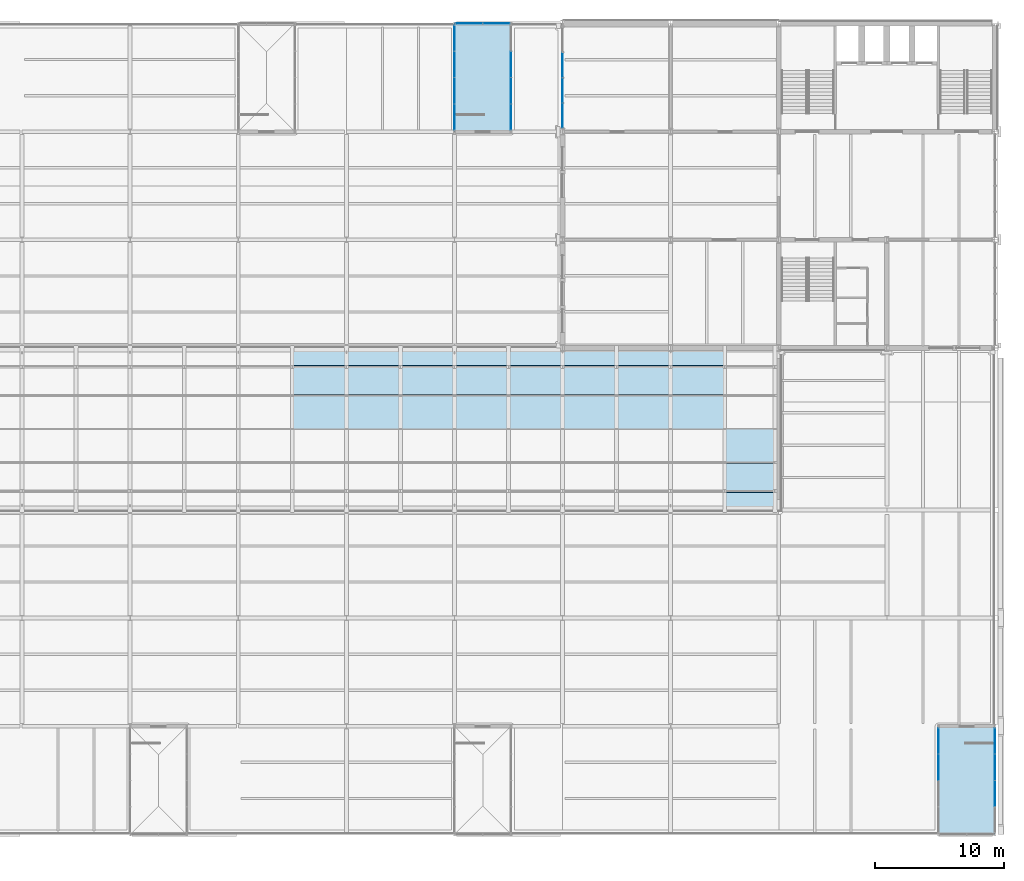
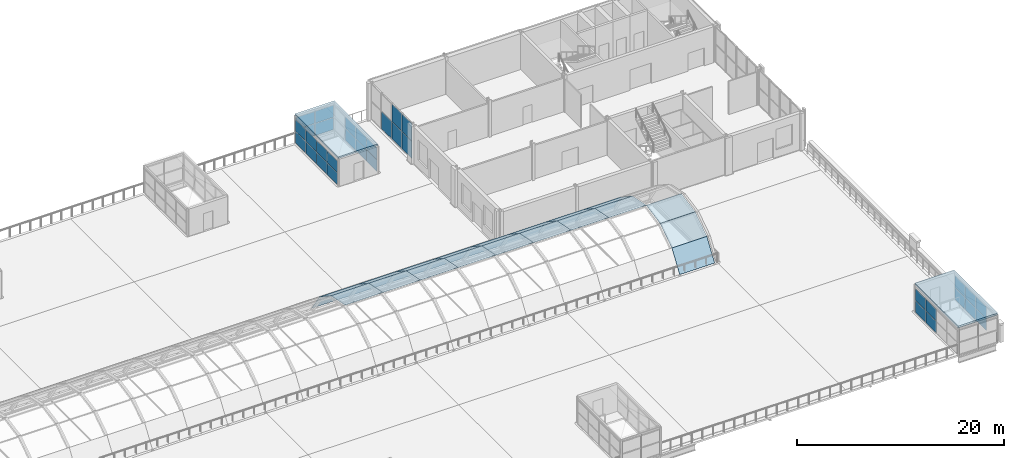
# One storey, part 37 of 58: 60 plates, 2 slabs, 6 elements without a shape of their own.
"""IFC4 building model written with IfcOpenShell, lengths in metres."""

from ifc_helpers import new_model, si_unit, direction, frame, origin, origin_2d, place, context, subcontext, project, spatial, polyline, rectangle, outline, extrude, material, layer, layer_set, type_object, element, aggregate, save


model = new_model("IFC4")

# Units and contexts
model_context = context("Model", 3, precision=1e-05, world=origin(), true_north=direction((0.0, 1.0)))
body_context = subcontext(model_context, "Body", "Model", "MODEL_VIEW")
ifc_project = project(units=[si_unit("LENGTHUNIT", "METRE"), si_unit("AREAUNIT", "SQUARE_METRE"), si_unit("VOLUMEUNIT", "CUBIC_METRE"), si_unit("PLANEANGLEUNIT", "RADIAN"), si_unit("MASSUNIT", "GRAM", prefix="KILO")], contexts=[model_context])

# Site, building, storey
site_placement = place(None, origin())
site = spatial("IfcSite", under=ifc_project, at=site_placement, CompositionType="ELEMENT")
building_placement = place(site_placement, origin())
building = spatial("IfcBuilding", under=site, at=building_placement, Name="Galleria Vessillo Department Store", CompositionType="ELEMENT")
storey_placement = place(building_placement, frame((0.0, 0.0, 31.199951171875)))
storey = spatial("IfcBuildingStorey", under=building, at=storey_placement, Name="L06", CompositionType="ELEMENT", Elevation=31.199951171875)

# Curtain wall, plates
ifc_material_1 = material(Name="Aluminium and glass curtain wall", Category="aluminium")
ifc_layer_1 = layer(ifc_material_1, 0.159912109375)
ifc_layer_set_1 = layer_set([ifc_layer_1], Name="Aluminium and glass curtain wall")
curtain_wall_type_1 = type_object("IfcCurtainWallType", Name="Tower curtain wall CW4 2100 module", PredefinedType="NOTDEFINED", material=ifc_layer_set_1)
curtain_wall_1_placement = place(storey_placement, origin())
curtain_wall_1 = element("IfcCurtainWall", 1, at=curtain_wall_1_placement, inside=storey, type_object=curtain_wall_type_1, Name="Tower curtain wall CW4 2100 module TW-L06-03", PredefinedType="NOTDEFINED")
ifc_material_2 = material(Name="Glass laminated 44.2 low-e", Category="glass")
ifc_layer_2 = layer(ifc_material_2, 0.028076171875)
ifc_layer_set_2 = layer_set([ifc_layer_2], Name="Glass laminated 44.2 low-e")
plate_type_1 = type_object("IfcPlateType", Name="Laminated glass panel 28 mm", PredefinedType="CURTAIN_PANEL", material=ifc_layer_set_2)
plate_1_placement = place(storey_placement, frame((84.0, 55.8525390625, 2.155029296875), z_axis=(0.0, 0.0, 1.0), x_axis=(0.0, 1.0, 0.0)))
plate_1 = element("IfcPlate", 2, at=plate_1_placement, type_object=plate_type_1, Name="CW4 panel 1.2", PredefinedType="CURTAIN_PANEL", context=body_context, shape_type="SweptSolid", body=[
    extrude(rectangle(XDim=1.885009765625, YDim=0.028076171875, at=origin_2d()), origin(), (0.0, 0.0, 1.0), 2.03515625),
])
plate_2_placement = place(storey_placement, frame((84.0, 57.8125, 2.155029296875), z_axis=(0.0, 0.0, 1.0), x_axis=(0.0, 1.0, 0.0)))
plate_2 = element("IfcPlate", 3, at=plate_2_placement, type_object=plate_type_1, Name="CW4 panel 2.2", PredefinedType="CURTAIN_PANEL", context=body_context, shape_type="SweptSolid", body=[
    extrude(rectangle(XDim=1.9150390625, YDim=0.028076171875, at=origin_2d()), origin(), (0.0, 0.0, 1.0), 2.03515625),
])

ifc_material_3 = material(Name="Aluminium and glass curtain wall", Category="aluminium")
ifc_layer_3 = layer(ifc_material_3, 0.10009765625)
ifc_layer_set_3 = layer_set([ifc_layer_3], Name="Aluminium and glass curtain wall")
curtain_wall_type_2 = type_object("IfcCurtainWallType", Name="Pavilion curtain wall CW5 2100 module", PredefinedType="NOTDEFINED", material=ifc_layer_set_3)
curtain_wall_2_placement = place(storey_placement, origin())
curtain_wall_2 = element("IfcCurtainWall", 4, at=curtain_wall_2_placement, inside=storey, type_object=curtain_wall_type_2, Name="Pavilion curtain wall CW5 2100 module PV-ST6-A", PredefinedType="NOTDEFINED")
plate_3_placement = place(storey_placement, frame((75.60009765625, 55.737548828125, 0.0498046875), z_axis=(0.0, 0.0, 1.0), x_axis=(0.0, 1.0, 0.0)))
plate_3 = element("IfcPlate", 5, at=plate_3_placement, type_object=plate_type_1, Name="CW5 panel 1.1", PredefinedType="CURTAIN_PANEL", context=body_context, shape_type="SweptSolid", body=[
    extrude(rectangle(XDim=1.97509765625, YDim=0.028076171875, at=origin_2d()), origin(), (0.0, 0.0, 1.0), 1.360107421875),
])
plate_4_placement = place(storey_placement, frame((75.60009765625, 55.737548828125, 1.4599609375), z_axis=(0.0, 0.0, 1.0), x_axis=(0.0, 1.0, 0.0)))
plate_4 = element("IfcPlate", 6, at=plate_4_placement, type_object=plate_type_1, Name="CW5 panel 1.2", PredefinedType="CURTAIN_PANEL", context=body_context, shape_type="SweptSolid", body=[
    extrude(rectangle(XDim=1.97509765625, YDim=0.028076171875, at=origin_2d()), origin(), (0.0, 0.0, 1.0), 1.360107421875),
])
plate_5_placement = place(storey_placement, frame((75.60009765625, 57.775146484375, 0.0498046875), z_axis=(0.0, 0.0, 1.0), x_axis=(0.0, 1.0, 0.0)))
plate_5 = element("IfcPlate", 7, at=plate_5_placement, type_object=plate_type_1, Name="CW5 panel 2.1", PredefinedType="CURTAIN_PANEL", context=body_context, shape_type="SweptSolid", body=[
    extrude(rectangle(XDim=2.0, YDim=0.028076171875, at=origin_2d()), origin(), (0.0, 0.0, 1.0), 1.360107421875),
])
plate_6_placement = place(storey_placement, frame((75.60009765625, 57.775146484375, 1.4599609375), z_axis=(0.0, 0.0, 1.0), x_axis=(0.0, 1.0, 0.0)))
plate_6 = element("IfcPlate", 8, at=plate_6_placement, type_object=plate_type_1, Name="CW5 panel 2.2", PredefinedType="CURTAIN_PANEL", context=body_context, shape_type="SweptSolid", body=[
    extrude(rectangle(XDim=2.0, YDim=0.028076171875, at=origin_2d()), origin(), (0.0, 0.0, 1.0), 1.360107421875),
])
plate_7_placement = place(storey_placement, frame((75.60009765625, 59.824951171875, 0.0498046875), z_axis=(0.0, 0.0, 1.0), x_axis=(0.0, 1.0, 0.0)))
plate_7 = element("IfcPlate", 9, at=plate_7_placement, type_object=plate_type_1, Name="CW5 panel 3.1", PredefinedType="CURTAIN_PANEL", context=body_context, shape_type="SweptSolid", body=[
    extrude(rectangle(XDim=2.0, YDim=0.028076171875, at=origin_2d()), origin(), (0.0, 0.0, 1.0), 1.360107421875),
])
plate_8_placement = place(storey_placement, frame((75.60009765625, 59.824951171875, 1.4599609375), z_axis=(0.0, 0.0, 1.0), x_axis=(0.0, 1.0, 0.0)))
plate_8 = element("IfcPlate", 10, at=plate_8_placement, type_object=plate_type_1, Name="CW5 panel 3.2", PredefinedType="CURTAIN_PANEL", context=body_context, shape_type="SweptSolid", body=[
    extrude(rectangle(XDim=2.0, YDim=0.028076171875, at=origin_2d()), origin(), (0.0, 0.0, 1.0), 1.360107421875),
])
plate_9_placement = place(storey_placement, frame((75.60009765625, 61.862548828125, 0.0498046875), z_axis=(0.0, 0.0, 1.0), x_axis=(0.0, 1.0, 0.0)))
plate_9 = element("IfcPlate", 11, at=plate_9_placement, type_object=plate_type_1, Name="CW5 panel 4.1", PredefinedType="CURTAIN_PANEL", context=body_context, shape_type="SweptSolid", body=[
    extrude(rectangle(XDim=1.97509765625, YDim=0.028076171875, at=origin_2d()), origin(), (0.0, 0.0, 1.0), 1.360107421875),
])
plate_10_placement = place(storey_placement, frame((75.60009765625, 61.862548828125, 1.4599609375), z_axis=(0.0, 0.0, 1.0), x_axis=(0.0, 1.0, 0.0)))
plate_10 = element("IfcPlate", 12, at=plate_10_placement, type_object=plate_type_1, Name="CW5 panel 4.2", PredefinedType="CURTAIN_PANEL", context=body_context, shape_type="SweptSolid", body=[
    extrude(rectangle(XDim=1.97509765625, YDim=0.028076171875, at=origin_2d()), origin(), (0.0, 0.0, 1.0), 1.360107421875),
])
aggregate(curtain_wall_2, [plate_3, plate_4, plate_5, plate_6, plate_7, plate_8, plate_9, plate_10])

curtain_wall_3_placement = place(storey_placement, origin())
curtain_wall_3 = element("IfcCurtainWall", 13, at=curtain_wall_3_placement, inside=storey, type_object=curtain_wall_type_2, Name="Pavilion curtain wall CW5 2100 module PV-ST6-B", PredefinedType="NOTDEFINED")
plate_11_placement = place(storey_placement, frame((80.0, 55.737548828125, 0.0498046875), z_axis=(0.0, 0.0, 1.0), x_axis=(0.0, 1.0, 0.0)))
plate_11 = element("IfcPlate", 14, at=plate_11_placement, type_object=plate_type_1, Name="CW5 panel 1.1", PredefinedType="CURTAIN_PANEL", context=body_context, shape_type="SweptSolid", body=[
    extrude(rectangle(XDim=1.97509765625, YDim=0.028076171875, at=origin_2d()), origin(), (0.0, 0.0, 1.0), 1.360107421875),
])
plate_12_placement = place(storey_placement, frame((80.0, 55.737548828125, 1.4599609375), z_axis=(0.0, 0.0, 1.0), x_axis=(0.0, 1.0, 0.0)))
plate_12 = element("IfcPlate", 15, at=plate_12_placement, type_object=plate_type_1, Name="CW5 panel 1.2", PredefinedType="CURTAIN_PANEL", context=body_context, shape_type="SweptSolid", body=[
    extrude(rectangle(XDim=1.97509765625, YDim=0.028076171875, at=origin_2d()), origin(), (0.0, 0.0, 1.0), 1.360107421875),
])
plate_13_placement = place(storey_placement, frame((80.0, 57.775146484375, 0.0498046875), z_axis=(0.0, 0.0, 1.0), x_axis=(0.0, 1.0, 0.0)))
plate_13 = element("IfcPlate", 16, at=plate_13_placement, type_object=plate_type_1, Name="CW5 panel 2.1", PredefinedType="CURTAIN_PANEL", context=body_context, shape_type="SweptSolid", body=[
    extrude(rectangle(XDim=2.0, YDim=0.028076171875, at=origin_2d()), origin(), (0.0, 0.0, 1.0), 1.360107421875),
])
plate_14_placement = place(storey_placement, frame((80.0, 57.775146484375, 1.4599609375), z_axis=(0.0, 0.0, 1.0), x_axis=(0.0, 1.0, 0.0)))
plate_14 = element("IfcPlate", 17, at=plate_14_placement, type_object=plate_type_1, Name="CW5 panel 2.2", PredefinedType="CURTAIN_PANEL", context=body_context, shape_type="SweptSolid", body=[
    extrude(rectangle(XDim=2.0, YDim=0.028076171875, at=origin_2d()), origin(), (0.0, 0.0, 1.0), 1.360107421875),
])
plate_15_placement = place(storey_placement, frame((80.0, 59.824951171875, 0.0498046875), z_axis=(0.0, 0.0, 1.0), x_axis=(0.0, 1.0, 0.0)))
plate_15 = element("IfcPlate", 18, at=plate_15_placement, type_object=plate_type_1, Name="CW5 panel 3.1", PredefinedType="CURTAIN_PANEL", context=body_context, shape_type="SweptSolid", body=[
    extrude(rectangle(XDim=2.0, YDim=0.028076171875, at=origin_2d()), origin(), (0.0, 0.0, 1.0), 1.360107421875),
])
plate_16_placement = place(storey_placement, frame((80.0, 59.824951171875, 1.4599609375), z_axis=(0.0, 0.0, 1.0), x_axis=(0.0, 1.0, 0.0)))
plate_16 = element("IfcPlate", 19, at=plate_16_placement, type_object=plate_type_1, Name="CW5 panel 3.2", PredefinedType="CURTAIN_PANEL", context=body_context, shape_type="SweptSolid", body=[
    extrude(rectangle(XDim=2.0, YDim=0.028076171875, at=origin_2d()), origin(), (0.0, 0.0, 1.0), 1.360107421875),
])
aggregate(curtain_wall_3, [plate_11, plate_12, plate_13, plate_14, plate_15, plate_16])

curtain_wall_4_placement = place(storey_placement, origin())
curtain_wall_4 = element("IfcCurtainWall", 20, at=curtain_wall_4_placement, inside=storey, type_object=curtain_wall_type_2, Name="Pavilion curtain wall CW5 2100 module PV-ST6-F", PredefinedType="NOTDEFINED")
plate_17_placement = place(storey_placement, frame((76.737548828125, 63.0, 0.05029296875), z_axis=(0.0, 0.0, 1.0), x_axis=(1.0, 0.0, 0.0)))
plate_17 = element("IfcPlate", 21, at=plate_17_placement, type_object=plate_type_1, Name="CW5 panel 1.1", PredefinedType="CURTAIN_PANEL", context=body_context, shape_type="SweptSolid", body=[
    extrude(rectangle(XDim=2.074951171875, YDim=0.028076171875, at=origin_2d()), origin(), (0.0, 0.0, 1.0), 1.405029296875),
])
plate_18_placement = place(storey_placement, frame((76.737548828125, 63.0, 1.50537109375), z_axis=(0.0, 0.0, 1.0), x_axis=(1.0, 0.0, 0.0)))
plate_18 = element("IfcPlate", 22, at=plate_18_placement, type_object=plate_type_1, Name="CW5 panel 1.2", PredefinedType="CURTAIN_PANEL", context=body_context, shape_type="SweptSolid", body=[
    extrude(rectangle(XDim=2.074951171875, YDim=0.028076171875, at=origin_2d()), origin(), (0.0, 0.0, 1.0), 1.405029296875),
])
plate_19_placement = place(storey_placement, frame((78.862548828125, 63.0, 0.05029296875), z_axis=(0.0, 0.0, 1.0), x_axis=(1.0, 0.0, 0.0)))
plate_19 = element("IfcPlate", 23, at=plate_19_placement, type_object=plate_type_1, Name="CW5 panel 2.1", PredefinedType="CURTAIN_PANEL", context=body_context, shape_type="SweptSolid", body=[
    extrude(rectangle(XDim=2.074951171875, YDim=0.028076171875, at=origin_2d()), origin(), (0.0, 0.0, 1.0), 1.405029296875),
])
plate_20_placement = place(storey_placement, frame((78.862548828125, 63.0, 1.50537109375), z_axis=(0.0, 0.0, 1.0), x_axis=(1.0, 0.0, 0.0)))
plate_20 = element("IfcPlate", 24, at=plate_20_placement, type_object=plate_type_1, Name="CW5 panel 2.2", PredefinedType="CURTAIN_PANEL", context=body_context, shape_type="SweptSolid", body=[
    extrude(rectangle(XDim=2.074951171875, YDim=0.028076171875, at=origin_2d()), origin(), (0.0, 0.0, 1.0), 1.405029296875),
])
aggregate(curtain_wall_4, [plate_17, plate_18, plate_19, plate_20])

curtain_wall_5_placement = place(storey_placement, origin())
curtain_wall_5 = element("IfcCurtainWall", 25, at=curtain_wall_5_placement, inside=storey, type_object=curtain_wall_type_2, Name="Pavilion curtain wall CW5 2100 module PV-ST7-A", PredefinedType="NOTDEFINED")
plate_21_placement = place(storey_placement, frame((113.199951171875, 5.224853515625, 0.0498046875), z_axis=(0.0, 0.0, 1.0), x_axis=(0.0, 1.0, 0.0)))
plate_21 = element("IfcPlate", 26, at=plate_21_placement, type_object=plate_type_1, Name="CW5 panel 3.1", PredefinedType="CURTAIN_PANEL", context=body_context, shape_type="SweptSolid", body=[
    extrude(rectangle(XDim=2.0, YDim=0.028076171875, at=origin_2d()), origin(), (0.0, 0.0, 1.0), 1.360107421875),
])
plate_22_placement = place(storey_placement, frame((113.199951171875, 5.224853515625, 1.4599609375), z_axis=(0.0, 0.0, 1.0), x_axis=(0.0, 1.0, 0.0)))
plate_22 = element("IfcPlate", 27, at=plate_22_placement, type_object=plate_type_1, Name="CW5 panel 3.2", PredefinedType="CURTAIN_PANEL", context=body_context, shape_type="SweptSolid", body=[
    extrude(rectangle(XDim=2.0, YDim=0.028076171875, at=origin_2d()), origin(), (0.0, 0.0, 1.0), 1.360107421875),
])
plate_23_placement = place(storey_placement, frame((113.199951171875, 7.262451171875, 0.0498046875), z_axis=(0.0, 0.0, 1.0), x_axis=(0.0, 1.0, 0.0)))
plate_23 = element("IfcPlate", 28, at=plate_23_placement, type_object=plate_type_1, Name="CW5 panel 4.1", PredefinedType="CURTAIN_PANEL", context=body_context, shape_type="SweptSolid", body=[
    extrude(rectangle(XDim=1.97509765625, YDim=0.028076171875, at=origin_2d()), origin(), (0.0, 0.0, 1.0), 1.360107421875),
])
plate_24_placement = place(storey_placement, frame((113.199951171875, 7.262451171875, 1.4599609375), z_axis=(0.0, 0.0, 1.0), x_axis=(0.0, 1.0, 0.0)))
plate_24 = element("IfcPlate", 29, at=plate_24_placement, type_object=plate_type_1, Name="CW5 panel 4.2", PredefinedType="CURTAIN_PANEL", context=body_context, shape_type="SweptSolid", body=[
    extrude(rectangle(XDim=1.97509765625, YDim=0.028076171875, at=origin_2d()), origin(), (0.0, 0.0, 1.0), 1.360107421875),
])
aggregate(curtain_wall_5, [plate_21, plate_22, plate_23, plate_24])

curtain_wall_6_placement = place(storey_placement, origin())
curtain_wall_6 = element("IfcCurtainWall", 30, at=curtain_wall_6_placement, inside=storey, type_object=curtain_wall_type_2, Name="Pavilion curtain wall CW5 2100 module PV-ST7-B", PredefinedType="NOTDEFINED")
plate_25_placement = place(storey_placement, frame((117.60009765625, 3.175048828125, 0.0498046875), z_axis=(0.0, 0.0, 1.0), x_axis=(0.0, 1.0, 0.0)))
plate_25 = element("IfcPlate", 31, at=plate_25_placement, type_object=plate_type_1, Name="CW5 panel 2.1", PredefinedType="CURTAIN_PANEL", context=body_context, shape_type="SweptSolid", body=[
    extrude(rectangle(XDim=2.0, YDim=0.028076171875, at=origin_2d()), origin(), (0.0, 0.0, 1.0), 1.360107421875),
])
plate_26_placement = place(storey_placement, frame((117.60009765625, 3.175048828125, 1.4599609375), z_axis=(0.0, 0.0, 1.0), x_axis=(0.0, 1.0, 0.0)))
plate_26 = element("IfcPlate", 32, at=plate_26_placement, type_object=plate_type_1, Name="CW5 panel 2.2", PredefinedType="CURTAIN_PANEL", context=body_context, shape_type="SweptSolid", body=[
    extrude(rectangle(XDim=2.0, YDim=0.028076171875, at=origin_2d()), origin(), (0.0, 0.0, 1.0), 1.360107421875),
])
plate_27_placement = place(storey_placement, frame((117.60009765625, 5.224853515625, 0.0498046875), z_axis=(0.0, 0.0, 1.0), x_axis=(0.0, 1.0, 0.0)))
plate_27 = element("IfcPlate", 33, at=plate_27_placement, type_object=plate_type_1, Name="CW5 panel 3.1", PredefinedType="CURTAIN_PANEL", context=body_context, shape_type="SweptSolid", body=[
    extrude(rectangle(XDim=2.0, YDim=0.028076171875, at=origin_2d()), origin(), (0.0, 0.0, 1.0), 1.360107421875),
])
plate_28_placement = place(storey_placement, frame((117.60009765625, 5.224853515625, 1.4599609375), z_axis=(0.0, 0.0, 1.0), x_axis=(0.0, 1.0, 0.0)))
plate_28 = element("IfcPlate", 34, at=plate_28_placement, type_object=plate_type_1, Name="CW5 panel 3.2", PredefinedType="CURTAIN_PANEL", context=body_context, shape_type="SweptSolid", body=[
    extrude(rectangle(XDim=2.0, YDim=0.028076171875, at=origin_2d()), origin(), (0.0, 0.0, 1.0), 1.360107421875),
])
plate_29_placement = place(storey_placement, frame((117.60009765625, 7.262451171875, 0.0498046875), z_axis=(0.0, 0.0, 1.0), x_axis=(0.0, 1.0, 0.0)))
plate_29 = element("IfcPlate", 35, at=plate_29_placement, type_object=plate_type_1, Name="CW5 panel 4.1", PredefinedType="CURTAIN_PANEL", context=body_context, shape_type="SweptSolid", body=[
    extrude(rectangle(XDim=1.97509765625, YDim=0.028076171875, at=origin_2d()), origin(), (0.0, 0.0, 1.0), 1.360107421875),
])
plate_30_placement = place(storey_placement, frame((117.60009765625, 7.262451171875, 1.4599609375), z_axis=(0.0, 0.0, 1.0), x_axis=(0.0, 1.0, 0.0)))
plate_30 = element("IfcPlate", 36, at=plate_30_placement, type_object=plate_type_1, Name="CW5 panel 4.2", PredefinedType="CURTAIN_PANEL", context=body_context, shape_type="SweptSolid", body=[
    extrude(rectangle(XDim=1.97509765625, YDim=0.028076171875, at=origin_2d()), origin(), (0.0, 0.0, 1.0), 1.360107421875),
])
aggregate(curtain_wall_6, [plate_25, plate_26, plate_27, plate_28, plate_29, plate_30])

# Plates
ifc_material_4 = material(Name="Glass laminated 44.2 low-e", Category="glass")
ifc_layer_4 = layer(ifc_material_4, 0.030029296875)
ifc_layer_set_4 = layer_set([ifc_layer_4], Name="Glass laminated 44.2 low-e")
plate_type_2 = type_object("IfcPlateType", Name="Laminated vault glazing panel 30 mm", PredefinedType="SHEET", material=ifc_layer_set_4)
plate_31_placement = place(storey_placement, frame((63.0, 31.5029296875, 4.377685546875), z_axis=(0.0, 0.194649660912, 0.980872830446), x_axis=(1.0, 0.0, 0.0)))
element("IfcPlate", 37, at=plate_31_placement, inside=storey, type_object=plate_type_2, Name="Vault glazing panel 12.4", PredefinedType="SHEET", context=body_context, shape_type="SweptSolid", body=[
    extrude(outline(polyline([(0.0, 0.0), (4.199951171875, 0.0), (4.199951171875, 2.7217368567149305), (0.0, 2.7217368567149305), (0.0, 0.0)])), origin(), (0.0, 0.0, -1.0), 0.030029296875),
])
plate_32_placement = place(storey_placement, frame((63.0, 34.177978515625, 3.845703125), z_axis=(0.0, 0.554720893307, 0.832036495911), x_axis=(1.0, 0.0, 0.0)))
element("IfcPlate", 38, at=plate_32_placement, inside=storey, type_object=plate_type_2, Name="Vault glazing panel 12.5", PredefinedType="SHEET", context=body_context, shape_type="SweptSolid", body=[
    extrude(outline(polyline([(0.0, 0.0), (4.199951171875, 0.0), (4.199951171875, 2.722107250408877), (0.0, 2.722107250408877), (0.0, 0.0)])), origin(), (0.0, 0.0, -1.0), 0.030029296875),
])
plate_33_placement = place(storey_placement, frame((63.0, 36.447021484375, 2.33154296875), z_axis=(0.0, 0.830525222922, 0.556981017711), x_axis=(1.0, 0.0, 0.0)))
element("IfcPlate", 39, at=plate_33_placement, inside=storey, type_object=plate_type_2, Name="Vault glazing panel 12.6", PredefinedType="SHEET", context=body_context, shape_type="SweptSolid", body=[
    extrude(outline(polyline([(0.0, 0.0), (4.199951171875, 0.0), (4.199951171875, 2.690021684729376), (0.0, 2.690021684729376), (0.0, 0.0)])), origin(), (0.0, 0.0, -1.0), 0.030029296875),
])
plate_34_placement = place(storey_placement, frame((67.199951171875, 31.5029296875, 4.377685546875), z_axis=(0.0, 0.194649660912, 0.980872830446), x_axis=(1.0, 0.0, 0.0)))
element("IfcPlate", 40, at=plate_34_placement, inside=storey, type_object=plate_type_2, Name="Vault glazing panel 13.4", PredefinedType="SHEET", context=body_context, shape_type="SweptSolid", body=[
    extrude(outline(polyline([(0.0, 0.0), (4.199951171875, 0.0), (4.199951171875, 2.7217368567149305), (0.0, 2.7217368567149305), (0.0, 0.0)])), origin(), (0.0, 0.0, -1.0), 0.030029296875),
])
plate_35_placement = place(storey_placement, frame((67.199951171875, 34.177978515625, 3.845703125), z_axis=(0.0, 0.554720893307, 0.832036495911), x_axis=(1.0, 0.0, 0.0)))
element("IfcPlate", 41, at=plate_35_placement, inside=storey, type_object=plate_type_2, Name="Vault glazing panel 13.5", PredefinedType="SHEET", context=body_context, shape_type="SweptSolid", body=[
    extrude(outline(polyline([(0.0, 0.0), (4.199951171875, 0.0), (4.199951171875, 2.722107250408877), (0.0, 2.722107250408877), (0.0, 0.0)])), origin(), (0.0, 0.0, -1.0), 0.030029296875),
])
plate_36_placement = place(storey_placement, frame((67.199951171875, 36.447021484375, 2.33154296875), z_axis=(0.0, 0.830525222922, 0.556981017711), x_axis=(1.0, 0.0, 0.0)))
element("IfcPlate", 42, at=plate_36_placement, inside=storey, type_object=plate_type_2, Name="Vault glazing panel 13.6", PredefinedType="SHEET", context=body_context, shape_type="SweptSolid", body=[
    extrude(outline(polyline([(0.0, 0.0), (4.199951171875, 0.0), (4.199951171875, 2.690021684729376), (0.0, 2.690021684729376), (0.0, 0.0)])), origin(), (0.0, 0.0, -1.0), 0.030029296875),
])
plate_37_placement = place(storey_placement, frame((71.39990234375, 31.5029296875, 4.377685546875), z_axis=(0.0, 0.194649660912, 0.980872830446), x_axis=(1.0, 0.0, 0.0)))
element("IfcPlate", 43, at=plate_37_placement, inside=storey, type_object=plate_type_2, Name="Vault glazing panel 14.4", PredefinedType="SHEET", context=body_context, shape_type="SweptSolid", body=[
    extrude(outline(polyline([(0.0, 0.0), (4.2001953125, 0.0), (4.2001953125, 2.7217368567149305), (0.0, 2.7217368567149305), (0.0, 0.0)])), origin(), (0.0, 0.0, -1.0), 0.030029296875),
])
plate_38_placement = place(storey_placement, frame((71.39990234375, 34.177978515625, 3.845703125), z_axis=(0.0, 0.554720893307, 0.832036495911), x_axis=(1.0, 0.0, 0.0)))
element("IfcPlate", 44, at=plate_38_placement, inside=storey, type_object=plate_type_2, Name="Vault glazing panel 14.5", PredefinedType="SHEET", context=body_context, shape_type="SweptSolid", body=[
    extrude(outline(polyline([(0.0, 0.0), (4.2001953125, 0.0), (4.2001953125, 2.722107250408877), (0.0, 2.722107250408877), (0.0, 0.0)])), origin(), (0.0, 0.0, -1.0), 0.030029296875),
])
plate_39_placement = place(storey_placement, frame((71.39990234375, 36.447021484375, 2.33154296875), z_axis=(0.0, 0.830525222922, 0.556981017711), x_axis=(1.0, 0.0, 0.0)))
element("IfcPlate", 45, at=plate_39_placement, inside=storey, type_object=plate_type_2, Name="Vault glazing panel 14.6", PredefinedType="SHEET", context=body_context, shape_type="SweptSolid", body=[
    extrude(outline(polyline([(0.0, 0.0), (4.2001953125, 0.0), (4.2001953125, 2.690021684729376), (0.0, 2.690021684729376), (0.0, 0.0)])), origin(), (0.0, 0.0, -1.0), 0.030029296875),
])
plate_40_placement = place(storey_placement, frame((75.60009765625, 31.5029296875, 4.377685546875), z_axis=(0.0, 0.194649660912, 0.980872830446), x_axis=(1.0, 0.0, 0.0)))
element("IfcPlate", 46, at=plate_40_placement, inside=storey, type_object=plate_type_2, Name="Vault glazing panel 15.4", PredefinedType="SHEET", context=body_context, shape_type="SweptSolid", body=[
    extrude(outline(polyline([(0.0, 0.0), (4.199951171875, 0.0), (4.199951171875, 2.7217368567149305), (0.0, 2.7217368567149305), (0.0, 0.0)])), origin(), (0.0, 0.0, -1.0), 0.030029296875),
])
plate_41_placement = place(storey_placement, frame((75.60009765625, 34.177978515625, 3.845703125), z_axis=(0.0, 0.554720893307, 0.832036495911), x_axis=(1.0, 0.0, 0.0)))
element("IfcPlate", 47, at=plate_41_placement, inside=storey, type_object=plate_type_2, Name="Vault glazing panel 15.5", PredefinedType="SHEET", context=body_context, shape_type="SweptSolid", body=[
    extrude(outline(polyline([(0.0, 0.0), (4.199951171875, 0.0), (4.199951171875, 2.722107250408877), (0.0, 2.722107250408877), (0.0, 0.0)])), origin(), (0.0, 0.0, -1.0), 0.030029296875),
])
plate_42_placement = place(storey_placement, frame((75.60009765625, 36.447021484375, 2.33154296875), z_axis=(0.0, 0.830525222922, 0.556981017711), x_axis=(1.0, 0.0, 0.0)))
element("IfcPlate", 48, at=plate_42_placement, inside=storey, type_object=plate_type_2, Name="Vault glazing panel 15.6", PredefinedType="SHEET", context=body_context, shape_type="SweptSolid", body=[
    extrude(outline(polyline([(0.0, 0.0), (4.199951171875, 0.0), (4.199951171875, 2.690021684729376), (0.0, 2.690021684729376), (0.0, 0.0)])), origin(), (0.0, 0.0, -1.0), 0.030029296875),
])
plate_43_placement = place(storey_placement, frame((79.800048828125, 31.5029296875, 4.377685546875), z_axis=(0.0, 0.194649660912, 0.980872830446), x_axis=(1.0, 0.0, 0.0)))
element("IfcPlate", 49, at=plate_43_placement, inside=storey, type_object=plate_type_2, Name="Vault glazing panel 16.4", PredefinedType="SHEET", context=body_context, shape_type="SweptSolid", body=[
    extrude(outline(polyline([(0.0, 0.0), (4.199951171875, 0.0), (4.199951171875, 2.7217368567149305), (0.0, 2.7217368567149305), (0.0, 0.0)])), origin(), (0.0, 0.0, -1.0), 0.030029296875),
])
plate_44_placement = place(storey_placement, frame((79.800048828125, 34.177978515625, 3.845703125), z_axis=(0.0, 0.554720893307, 0.832036495911), x_axis=(1.0, 0.0, 0.0)))
element("IfcPlate", 50, at=plate_44_placement, inside=storey, type_object=plate_type_2, Name="Vault glazing panel 16.5", PredefinedType="SHEET", context=body_context, shape_type="SweptSolid", body=[
    extrude(outline(polyline([(0.0, 0.0), (4.199951171875, 0.0), (4.199951171875, 2.722107250408877), (0.0, 2.722107250408877), (0.0, 0.0)])), origin(), (0.0, 0.0, -1.0), 0.030029296875),
])
plate_45_placement = place(storey_placement, frame((79.800048828125, 36.447021484375, 2.33154296875), z_axis=(0.0, 0.830525222922, 0.556981017711), x_axis=(1.0, 0.0, 0.0)))
element("IfcPlate", 51, at=plate_45_placement, inside=storey, type_object=plate_type_2, Name="Vault glazing panel 16.6", PredefinedType="SHEET", context=body_context, shape_type="SweptSolid", body=[
    extrude(outline(polyline([(0.0, 0.0), (4.199951171875, 0.0), (4.199951171875, 2.690021684729376), (0.0, 2.690021684729376), (0.0, 0.0)])), origin(), (0.0, 0.0, -1.0), 0.030029296875),
])
plate_46_placement = place(storey_placement, frame((84.0, 31.5029296875, 4.377685546875), z_axis=(0.0, 0.194649660912, 0.980872830446), x_axis=(1.0, 0.0, 0.0)))
element("IfcPlate", 52, at=plate_46_placement, inside=storey, type_object=plate_type_2, Name="Vault glazing panel 17.4", PredefinedType="SHEET", context=body_context, shape_type="SweptSolid", body=[
    extrude(outline(polyline([(0.0, 0.0), (4.199951171875, 0.0), (4.199951171875, 2.7217368567149305), (0.0, 2.7217368567149305), (0.0, 0.0)])), origin(), (0.0, 0.0, -1.0), 0.030029296875),
])
plate_47_placement = place(storey_placement, frame((84.0, 34.177978515625, 3.845703125), z_axis=(0.0, 0.554720893307, 0.832036495911), x_axis=(1.0, 0.0, 0.0)))
element("IfcPlate", 53, at=plate_47_placement, inside=storey, type_object=plate_type_2, Name="Vault glazing panel 17.5", PredefinedType="SHEET", context=body_context, shape_type="SweptSolid", body=[
    extrude(outline(polyline([(0.0, 0.0), (4.199951171875, 0.0), (4.199951171875, 2.722107250408877), (0.0, 2.722107250408877), (0.0, 0.0)])), origin(), (0.0, 0.0, -1.0), 0.030029296875),
])
plate_48_placement = place(storey_placement, frame((84.0, 36.447021484375, 2.33154296875), z_axis=(0.0, 0.830525222922, 0.556981017711), x_axis=(1.0, 0.0, 0.0)))
element("IfcPlate", 54, at=plate_48_placement, inside=storey, type_object=plate_type_2, Name="Vault glazing panel 17.6", PredefinedType="SHEET", context=body_context, shape_type="SweptSolid", body=[
    extrude(outline(polyline([(0.0, 0.0), (4.199951171875, 0.0), (4.199951171875, 2.690021684729376), (0.0, 2.690021684729376), (0.0, 0.0)])), origin(), (0.0, 0.0, -1.0), 0.030029296875),
])
plate_49_placement = place(storey_placement, frame((88.199951171875, 31.5029296875, 4.377685546875), z_axis=(0.0, 0.194649660912, 0.980872830446), x_axis=(1.0, 0.0, 0.0)))
element("IfcPlate", 55, at=plate_49_placement, inside=storey, type_object=plate_type_2, Name="Vault glazing panel 18.4", PredefinedType="SHEET", context=body_context, shape_type="SweptSolid", body=[
    extrude(outline(polyline([(0.0, 0.0), (4.199951171875, 0.0), (4.199951171875, 2.7217368567149305), (0.0, 2.7217368567149305), (0.0, 0.0)])), origin(), (0.0, 0.0, -1.0), 0.030029296875),
])
plate_50_placement = place(storey_placement, frame((88.199951171875, 34.177978515625, 3.845703125), z_axis=(0.0, 0.554720893307, 0.832036495911), x_axis=(1.0, 0.0, 0.0)))
element("IfcPlate", 56, at=plate_50_placement, inside=storey, type_object=plate_type_2, Name="Vault glazing panel 18.5", PredefinedType="SHEET", context=body_context, shape_type="SweptSolid", body=[
    extrude(outline(polyline([(0.0, 0.0), (4.199951171875, 0.0), (4.199951171875, 2.722107250408877), (0.0, 2.722107250408877), (0.0, 0.0)])), origin(), (0.0, 0.0, -1.0), 0.030029296875),
])
plate_51_placement = place(storey_placement, frame((88.199951171875, 36.447021484375, 2.33154296875), z_axis=(0.0, 0.830525222922, 0.556981017711), x_axis=(1.0, 0.0, 0.0)))
element("IfcPlate", 57, at=plate_51_placement, inside=storey, type_object=plate_type_2, Name="Vault glazing panel 18.6", PredefinedType="SHEET", context=body_context, shape_type="SweptSolid", body=[
    extrude(outline(polyline([(0.0, 0.0), (4.199951171875, 0.0), (4.199951171875, 2.690021684729376), (0.0, 2.690021684729376), (0.0, 0.0)])), origin(), (0.0, 0.0, -1.0), 0.030029296875),
])
plate_52_placement = place(storey_placement, frame((92.39990234375, 31.5029296875, 4.377685546875), z_axis=(0.0, 0.194649660912, 0.980872830446), x_axis=(1.0, 0.0, 0.0)))
element("IfcPlate", 58, at=plate_52_placement, inside=storey, type_object=plate_type_2, Name="Vault glazing panel 19.4", PredefinedType="SHEET", context=body_context, shape_type="SweptSolid", body=[
    extrude(outline(polyline([(0.0, 0.0), (4.2001953125, 0.0), (4.2001953125, 2.7217368567149305), (0.0, 2.7217368567149305), (0.0, 0.0)])), origin(), (0.0, 0.0, -1.0), 0.030029296875),
])
plate_53_placement = place(storey_placement, frame((92.39990234375, 34.177978515625, 3.845703125), z_axis=(0.0, 0.554720893307, 0.832036495911), x_axis=(1.0, 0.0, 0.0)))
element("IfcPlate", 59, at=plate_53_placement, inside=storey, type_object=plate_type_2, Name="Vault glazing panel 19.5", PredefinedType="SHEET", context=body_context, shape_type="SweptSolid", body=[
    extrude(outline(polyline([(0.0, 0.0), (4.2001953125, 0.0), (4.2001953125, 2.722107250408877), (0.0, 2.722107250408877), (0.0, 0.0)])), origin(), (0.0, 0.0, -1.0), 0.030029296875),
])
plate_54_placement = place(storey_placement, frame((92.39990234375, 36.447021484375, 2.33154296875), z_axis=(0.0, 0.830525222922, 0.556981017711), x_axis=(1.0, 0.0, 0.0)))
element("IfcPlate", 60, at=plate_54_placement, inside=storey, type_object=plate_type_2, Name="Vault glazing panel 19.6", PredefinedType="SHEET", context=body_context, shape_type="SweptSolid", body=[
    extrude(outline(polyline([(0.0, 0.0), (4.2001953125, 0.0), (4.2001953125, 2.690021684729376), (0.0, 2.690021684729376), (0.0, 0.0)])), origin(), (0.0, 0.0, -1.0), 0.030029296875),
])
plate_55_placement = place(storey_placement, frame((96.60009765625, 25.0546875, 0.097412109375), z_axis=(0.0, -0.830525222922, 0.556981017711), x_axis=(1.0, 0.0, 0.0)))
element("IfcPlate", 61, at=plate_55_placement, inside=storey, type_object=plate_type_2, Name="Vault glazing panel 20.1", PredefinedType="SHEET", context=body_context, shape_type="SweptSolid", body=[
    extrude(outline(polyline([(0.0, 0.0), (3.89990234375, 0.0), (3.89990234375, 2.690021684729376), (0.0, 2.690021684729376), (0.0, 0.0)])), origin(), (0.0, 0.0, -1.0), 0.030029296875),
])
plate_56_placement = place(storey_placement, frame((96.60009765625, 26.55712890625, 2.335693359375), z_axis=(0.0, -0.554720893307, 0.832036495911), x_axis=(1.0, 0.0, 0.0)))
element("IfcPlate", 62, at=plate_56_placement, inside=storey, type_object=plate_type_2, Name="Vault glazing panel 20.2", PredefinedType="SHEET", context=body_context, shape_type="SweptSolid", body=[
    extrude(outline(polyline([(0.0, 0.0), (3.89990234375, 0.0), (3.89990234375, 2.722107250408877), (0.0, 2.722107250408877), (0.0, 0.0)])), origin(), (0.0, 0.0, -1.0), 0.030029296875),
])
plate_57_placement = place(storey_placement, frame((96.60009765625, 28.827392578125, 3.847900390625), z_axis=(0.0, -0.194649660912, 0.980872830446), x_axis=(1.0, 0.0, 0.0)))
element("IfcPlate", 63, at=plate_57_placement, inside=storey, type_object=plate_type_2, Name="Vault glazing panel 20.3", PredefinedType="SHEET", context=body_context, shape_type="SweptSolid", body=[
    extrude(outline(polyline([(0.0, 0.0), (3.89990234375, 0.0), (3.89990234375, 2.7217368567149305), (0.0, 2.7217368567149305), (0.0, 0.0)])), origin(), (0.0, 0.0, -1.0), 0.030029296875),
])

# Slabs
ifc_material_5 = material(Name="Concrete C32/40 reinforced", Category="concrete")
ifc_layer_5 = layer(ifc_material_5, 0.199951171875)
ifc_layer_set_5 = layer_set([ifc_layer_5], Name="Concrete C32/40 reinforced")
slab_type = type_object("IfcSlabType", Name="Pavilion roof slab 200 mm", PredefinedType="ROOF", material=ifc_layer_set_5)
slab_1_placement = place(storey_placement, frame((0.0, 0.0, 3.2001953125)))
element("IfcSlab", 64, at=slab_1_placement, inside=storey, type_object=slab_type, Name="S-SLAB-PAV-ST6-ROOF", PredefinedType="ROOF", context=body_context, shape_type="SweptSolid", body=[
    extrude(outline(polyline([(80.0, 54.60009765625), (80.0, 63.0), (75.60009765625, 63.0), (75.60009765625, 54.60009765625), (80.0, 54.60009765625)])), origin(), (0.0, 0.0, 1.0), 0.199951171875),
])
slab_2_placement = place(storey_placement, frame((0.0, 0.0, 3.2001953125)))
element("IfcSlab", 65, at=slab_2_placement, inside=storey, type_object=slab_type, Name="S-SLAB-PAV-ST7-ROOF", PredefinedType="ROOF", context=body_context, shape_type="SweptSolid", body=[
    extrude(outline(polyline([(117.60009765625, 0.0), (117.60009765625, 8.39990234375), (113.199951171875, 8.39990234375), (113.199951171875, 0.0), (117.60009765625, 0.0)])), origin(), (0.0, 0.0, 1.0), 0.199951171875),
])

# Plate
ifc_material_6 = material(Name="Limestone spandrel on aluminium tray", Category="masonry")
ifc_layer_6 = layer(ifc_material_6, 0.028076171875)
ifc_layer_set_6 = layer_set([ifc_layer_6], Name="Limestone spandrel on aluminium tray")
plate_type_3 = type_object("IfcPlateType", Name="Stone spandrel panel 28 mm", PredefinedType="CURTAIN_PANEL", material=ifc_layer_set_6)
plate_58_placement = place(storey_placement, frame((84.0, 55.8525390625, 0.06005859375), z_axis=(0.0, 0.0, 1.0), x_axis=(0.0, 1.0, 0.0)))
plate_58 = element("IfcPlate", 66, at=plate_58_placement, type_object=plate_type_3, Name="CW4 panel 1.1", PredefinedType="CURTAIN_PANEL", context=body_context, shape_type="SweptSolid", body=[
    extrude(rectangle(XDim=1.885009765625, YDim=0.028076171875, at=origin_2d()), origin(), (0.0, 0.0, 1.0), 2.03515625),
])

plate_59_placement = place(storey_placement, frame((84.0, 57.8125, 0.06005859375), z_axis=(0.0, 0.0, 1.0), x_axis=(0.0, 1.0, 0.0)))
plate_59 = element("IfcPlate", 67, at=plate_59_placement, type_object=plate_type_3, Name="CW4 panel 2.1", PredefinedType="CURTAIN_PANEL", context=body_context, shape_type="SweptSolid", body=[
    extrude(rectangle(XDim=1.9150390625, YDim=0.028076171875, at=origin_2d()), origin(), (0.0, 0.0, 1.0), 2.03515625),
])

plate_60_placement = place(storey_placement, frame((84.0, 59.78759765625, 0.06005859375), z_axis=(0.0, 0.0, 1.0), x_axis=(0.0, 1.0, 0.0)))
plate_60 = element("IfcPlate", 68, at=plate_60_placement, type_object=plate_type_3, Name="CW4 panel 3.1", PredefinedType="CURTAIN_PANEL", context=body_context, shape_type="SweptSolid", body=[
    extrude(rectangle(XDim=1.9150390625, YDim=0.028076171875, at=origin_2d()), origin(), (0.0, 0.0, 1.0), 2.03515625),
])

aggregate(curtain_wall_1, [plate_58, plate_1, plate_59, plate_2, plate_60])

save(model, "model.ifc")
